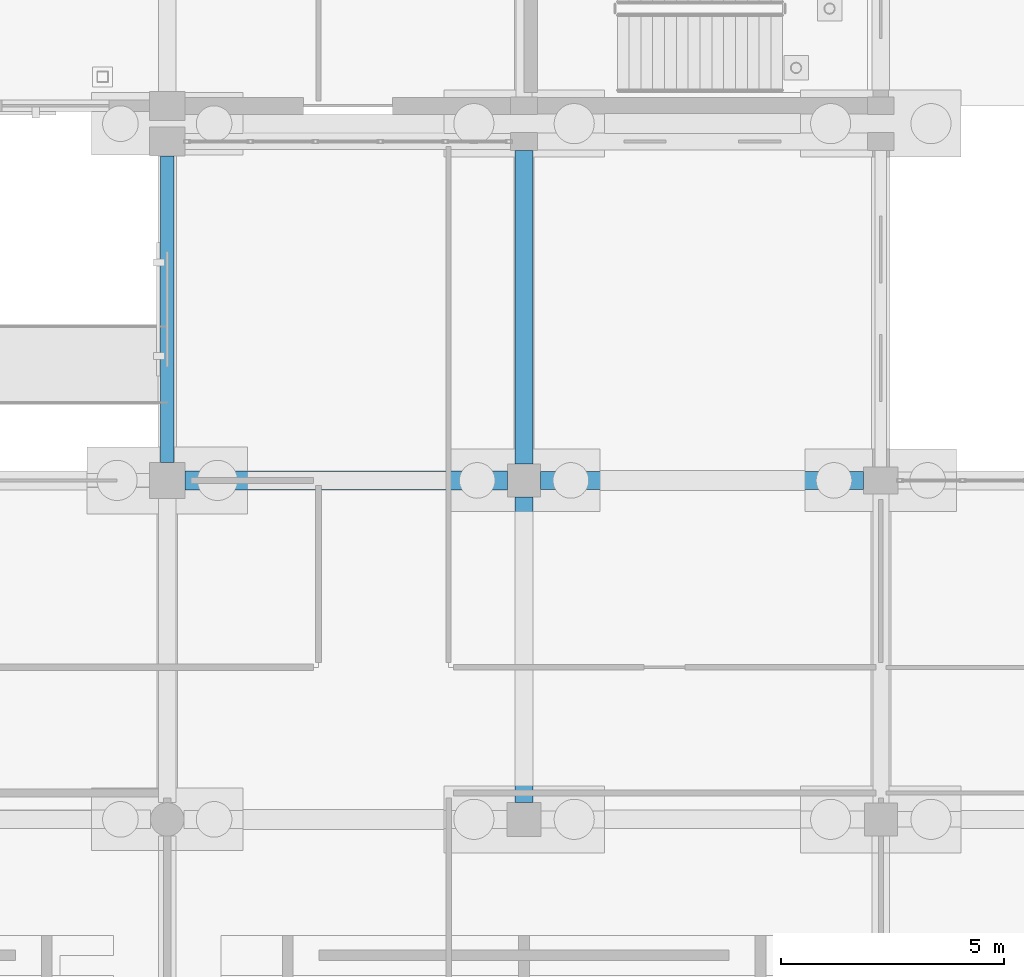
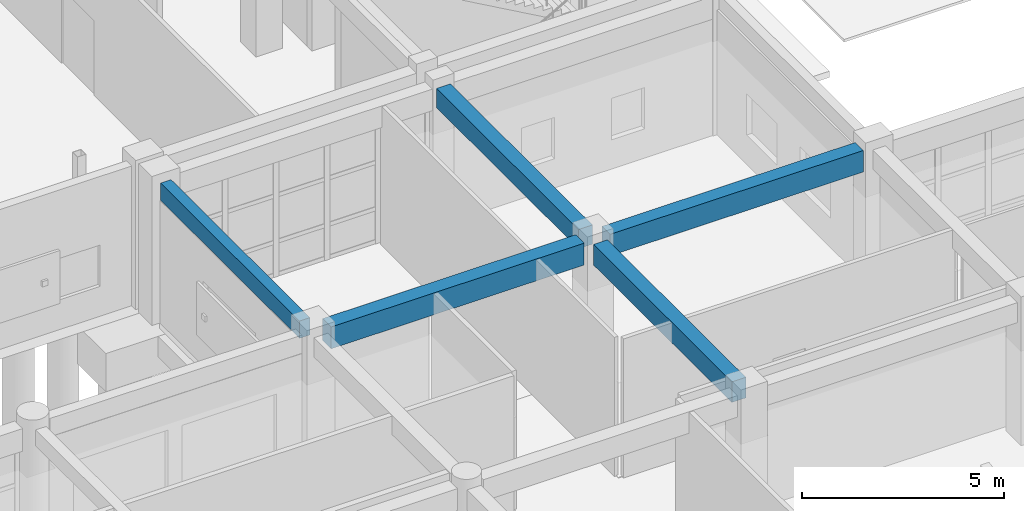
# One storey, part 52 of 166: 5 beams.
"""IFC4 building model written with IfcOpenShell, lengths in metres."""

from ifc_helpers import new_model, si_unit, direction, frame, origin, origin_2d, place, context, subcontext, project, spatial, rectangle, extrude, material, material_profile, profile_set, type_object, element, save


model = new_model("IFC4")

# Units and contexts
model_context = context("Model", 3, precision=1e-05, world=origin(), true_north=direction((0.0, 1.0)))
body_context = subcontext(model_context, "Body", "Model", "MODEL_VIEW")
ifc_project = project(units=[si_unit("LENGTHUNIT", "METRE"), si_unit("AREAUNIT", "SQUARE_METRE"), si_unit("VOLUMEUNIT", "CUBIC_METRE"), si_unit("PLANEANGLEUNIT", "RADIAN"), si_unit("MASSUNIT", "GRAM", prefix="KILO")], contexts=[model_context])

# Site, building, storey
site_placement = place(None, origin())
site = spatial("IfcSite", under=ifc_project, at=site_placement, CompositionType="ELEMENT")
building_placement = place(site_placement, origin())
building = spatial("IfcBuilding", under=site, at=building_placement, Name="Kharva Crest Polytechnic", CompositionType="ELEMENT")
storey_placement = place(building_placement, origin())
storey = spatial("IfcBuildingStorey", under=building, at=storey_placement, Name="L00", CompositionType="ELEMENT", Elevation=0.0)

# Beams
ifc_material = material(Name="Concrete C35/45", Category="concrete")
ifc_material_profile_1 = material_profile(ifc_material, rectangle(XDim=0.39990234375, YDim=0.580078125, at=origin_2d()), Name="RECT 400 X 580")
ifc_profile_set_1 = profile_set([ifc_material_profile_1], Name="Concrete C35/45")
beam_type_1 = type_object("IfcBeamType", Name="BM-RC-400X580", PredefinedType="BEAM", material=ifc_profile_set_1)
beam_1_placement = place(storey_placement, frame((40.0, 30.77001953125, 3.929931640625), z_axis=(0.0, 1.0, 0.0), x_axis=(-1.0, 0.0, 0.0)))
element("IfcBeam", 1, at=beam_1_placement, inside=storey, type_object=beam_type_1, Name="L00 Girder 6/E-F", PredefinedType="BEAM", context=body_context, shape_type="SweptSolid", body=[
    extrude(rectangle(XDim=0.39990234375, YDim=0.580078125, at=origin_2d()), origin(), (0.0, 0.0, 1.0), 7.030029296875),
])
ifc_material_profile_2 = material_profile(ifc_material, rectangle(XDim=0.39990234375, YDim=0.6201171875, at=origin_2d()), Name="RECT 400 X 620")
ifc_profile_set_2 = profile_set([ifc_material_profile_2], Name="Concrete C35/45")
beam_type_2 = type_object("IfcBeamType", Name="BM-RC-400X620", PredefinedType="BEAM", material=ifc_profile_set_2)
beam_2_placement = place(storey_placement, frame((40.0, 23.179931640625, 3.909912109375), z_axis=(0.0, 1.0, 0.0), x_axis=(-1.0, 0.0, 0.0)))
element("IfcBeam", 2, at=beam_2_placement, inside=storey, type_object=beam_type_2, Name="L00 Girder 6/D-E", PredefinedType="BEAM", context=body_context, shape_type="SweptSolid", body=[
    extrude(rectangle(XDim=0.39990234375, YDim=0.6201171875, at=origin_2d()), origin(), (0.0, 0.0, 1.0), 6.85009765625),
])
ifc_material_profile_3 = material_profile(ifc_material, rectangle(XDim=0.39990234375, YDim=0.64990234375, at=origin_2d()), Name="RECT 400 X 650")
ifc_profile_set_3 = profile_set([ifc_material_profile_3], Name="Concrete C35/45")
beam_type_3 = type_object("IfcBeamType", Name="BM-RC-400X650", PredefinedType="BEAM", material=ifc_profile_set_3)
beam_3_placement = place(storey_placement, frame((40.3701171875, 30.39990234375, 3.89501953125), z_axis=(1.0, 0.0, 0.0), x_axis=(0.0, 1.0, 0.0)))
element("IfcBeam", 3, at=beam_3_placement, inside=storey, type_object=beam_type_3, Name="L00 Beam E/6-7", PredefinedType="BEAM", context=body_context, shape_type="SweptSolid", body=[
    extrude(rectangle(XDim=0.39990234375, YDim=0.64990234375, at=origin_2d()), origin(), (0.0, 0.0, 1.0), 7.239990234375),
])
ifc_material_profile_4 = material_profile(ifc_material, rectangle(XDim=0.419921875, YDim=0.659912109375, at=origin_2d()), Name="RECT 420 X 660")
ifc_profile_set_4 = profile_set([ifc_material_profile_4], Name="Concrete C35/45")
beam_type_4 = type_object("IfcBeamType", Name="BM-RC-420X660", PredefinedType="BEAM", material=ifc_profile_set_4)
beam_4_placement = place(storey_placement, frame((32.39990234375, 30.39990234375, 3.889892578125), z_axis=(1.0, 0.0, 0.0), x_axis=(0.0, 1.0, 0.0)))
element("IfcBeam", 4, at=beam_4_placement, inside=storey, type_object=beam_type_4, Name="L00 Beam E/5-6", PredefinedType="BEAM", context=body_context, shape_type="SweptSolid", body=[
    extrude(rectangle(XDim=0.419921875, YDim=0.659912109375, at=origin_2d()), origin(), (0.0, 0.0, 1.0), 7.22998046875),
])
ifc_material_profile_5 = material_profile(ifc_material, rectangle(XDim=0.300048828125, YDim=0.52001953125, at=origin_2d()), Name="RECT 300 X 520")
ifc_profile_set_5 = profile_set([ifc_material_profile_5], Name="Concrete C35/45")
beam_type_5 = type_object("IfcBeamType", Name="SP-RC-300X520", PredefinedType="SPANDREL", material=ifc_profile_set_5)
beam_5_placement = place(storey_placement, frame((32.0, 30.800048828125, 3.9599609375), z_axis=(0.0, 1.0, 0.0), x_axis=(-1.0, 0.0, 0.0)))
element("IfcBeam", 5, at=beam_5_placement, inside=storey, type_object=beam_type_5, Name="L00 Girder 5/E-F", PredefinedType="SPANDREL", context=body_context, shape_type="SweptSolid", body=[
    extrude(rectangle(XDim=0.300048828125, YDim=0.52001953125, at=origin_2d()), origin(), (0.0, 0.0, 1.0), 6.875),
])

save(model, "model.ifc")
